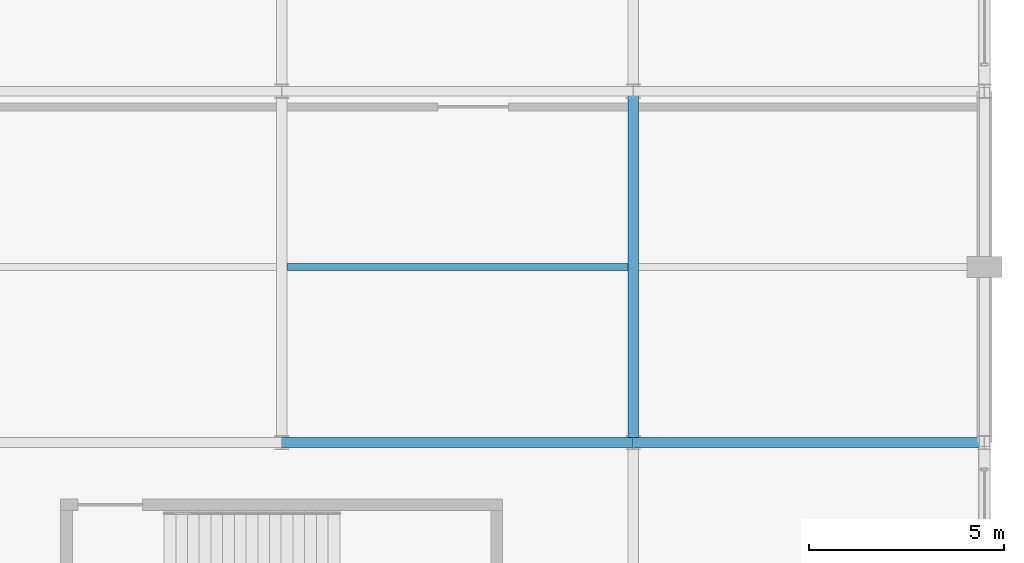
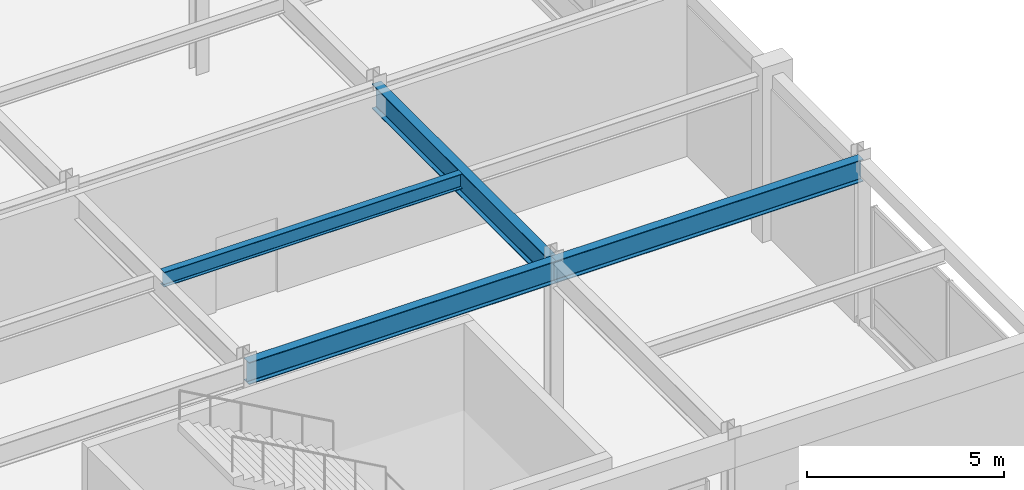
# One storey, part 44 of 100: 4 beams.
"""IFC4 building model written with IfcOpenShell, lengths in metres."""

import ifcopenshell
import ifcopenshell.guid

model = None  # the IFC model being written
_history = None  # IfcOwnerHistory: only IFC2X3 demands one
_inside = {}  # id of a spatial element -> (the spatial element, [elements in it])
_under = {}  # id of a project, library or spatial element -> (it, [spatial elements below it])
_declared = {}  # id of a project -> (the project, [libraries it declares])
_typed = {}  # id of a type object -> (the type object, [elements of that type])
_made_of = {}  # id of a material, layer set ... -> (it, [elements and type objects made of it])


def new_model(schema):
    """Start an empty IFC model of exactly this schema.

    Asked for "IFC4X3", IfcOpenShell would pick the latest addendum, in which some entities
    have other attributes; the version numbers below select the first issue.
    IFC2X3 requires an IfcOwnerHistory on every rooted entity: one is made here for all.
    """
    global model, _history
    if schema == "IFC4X3":
        model = ifcopenshell.file(schema_version=(4, 3, 0, 0))
    else:
        model = ifcopenshell.file(schema=schema)
    _inside.clear()
    _under.clear()
    _declared.clear()
    _typed.clear()
    _made_of.clear()
    _history = None
    if model.schema == "IFC2X3":
        org = make("IfcOrganization", Name="unknown")
        user = make(
            "IfcPersonAndOrganization",
            ThePerson=make("IfcPerson", FamilyName="unknown"),
            TheOrganization=org,
        )
        app = make(
            "IfcApplication",
            ApplicationDeveloper=org,
            Version="unknown",
            ApplicationFullName="unknown",
            ApplicationIdentifier="unknown",
        )
        _history = make(
            "IfcOwnerHistory",
            OwningUser=user,
            OwningApplication=app,
            ChangeAction="ADDED",
            CreationDate=0,
        )
    return model


def make(cls, **values):
    """One entity of the class cls with the attributes given. An attribute that is None is left unset."""
    return model.create_entity(
        cls, **{name: value for name, value in values.items() if value is not None}
    )


def rooted(cls, **values):
    """An entity with a GlobalId (a new one), such as an element, a storey or a relation."""
    return make(cls, GlobalId=ifcopenshell.guid.new(), OwnerHistory=_history, **values)


def si_unit(unit_type, name, prefix=None):
    """IfcSIUnit, for example si_unit("LENGTHUNIT", "METRE", prefix="MILLI")."""
    return make("IfcSIUnit", UnitType=unit_type, Prefix=prefix, Name=name)


def assignment(units):
    """IfcUnitAssignment: the units of a project."""
    return None if units is None else make("IfcUnitAssignment", Units=units)


def point(xyz):
    """IfcCartesianPoint."""
    return None if xyz is None else make("IfcCartesianPoint", Coordinates=xyz)


def direction(xyz):
    """IfcDirection."""
    return None if xyz is None else make("IfcDirection", DirectionRatios=xyz)


def frame(location, z_axis=None, x_axis=None):
    """IfcAxis2Placement3D, a coordinate frame: its origin and axes. An axis left out is left unset."""
    return make(
        "IfcAxis2Placement3D",
        Location=point(location),
        Axis=direction(z_axis),
        RefDirection=direction(x_axis),
    )


def frame_2d(location, x_axis=None):
    """IfcAxis2Placement2D, a coordinate frame in the plane: its origin and x axis."""
    return make(
        "IfcAxis2Placement2D", Location=point(location), RefDirection=direction(x_axis)
    )


def origin():
    """The frame at (0, 0, 0) with its axes left unset."""
    return frame((0.0, 0.0, 0.0))


def origin_2d():
    """The frame at (0, 0) in the plane with its x axis left unset."""
    return frame_2d((0.0, 0.0))


def place(relative_to, where):
    """IfcLocalPlacement: puts the frame where relative to a parent placement (None: the world)."""
    return make(
        "IfcLocalPlacement", PlacementRelTo=relative_to, RelativePlacement=where
    )


def context(
    kind, dimensions, precision=None, world=None, true_north=None, identifier=None
):
    """IfcGeometricRepresentationContext, for example the 3D "Model" context."""
    return make(
        "IfcGeometricRepresentationContext",
        ContextIdentifier=identifier,
        ContextType=kind,
        CoordinateSpaceDimension=dimensions,
        Precision=precision,
        WorldCoordinateSystem=world,
        TrueNorth=true_north,
    )


def subcontext(parent, identifier, kind, view, scale=None):
    """IfcGeometricRepresentationSubContext, for example "Body" below "Model"."""
    return make(
        "IfcGeometricRepresentationSubContext",
        ContextIdentifier=identifier,
        ContextType=kind,
        ParentContext=parent,
        TargetScale=scale,
        TargetView=view,
    )


def project(units=None, contexts=None):
    """IfcProject with its units and contexts."""
    return rooted(
        "IfcProject",
        Name="project",
        RepresentationContexts=contexts,
        UnitsInContext=assignment(units),
    )


def spatial(cls, under=None, at=None, **own):
    """A site, building, storey or space (cls), placed at a placement, below another one or the project."""
    s = rooted(cls, ObjectPlacement=at, **own)
    if under is not None:
        _under.setdefault(under.id(), (under, []))[1].append(s)
    return s


def profile(cls, at=None, kind="AREA", **sizes):
    """A parametric profile (cls). Its sizes go by their IFC names, for example OverallWidth=200.0."""
    return make(cls, ProfileType=kind, Position=at, **sizes)


def i_section(**sizes):
    """IfcIShapeProfileDef."""
    return profile("IfcIShapeProfileDef", **sizes)


def extrude(swept, where, along, depth):
    """IfcExtrudedAreaSolid: the profile swept, set in the frame where, extruded along a direction by depth."""
    return make(
        "IfcExtrudedAreaSolid",
        SweptArea=swept,
        Position=where,
        ExtrudedDirection=direction(along),
        Depth=depth,
    )


def shape(context_of_items, identifier, shape_type, items):
    """IfcShapeRepresentation: the items that make up one representation, for example the "Body"."""
    return make(
        "IfcShapeRepresentation",
        ContextOfItems=context_of_items,
        RepresentationIdentifier=identifier,
        RepresentationType=shape_type,
        Items=items,
    )


def material(Name=None, Category=None):
    """IfcMaterial."""
    return make("IfcMaterial", Name=Name, Category=Category)


def material_profile(
    of_material, cross_section, Name=None, Category=None, Priority=None
):
    """IfcMaterialProfile: a cross section and its material."""
    return make(
        "IfcMaterialProfile",
        Name=Name,
        Material=of_material,
        Profile=cross_section,
        Priority=Priority,
        Category=Category,
    )


def profile_set(profiles, Name=None, composite=None):
    """IfcMaterialProfileSet."""
    return make(
        "IfcMaterialProfileSet",
        Name=Name,
        MaterialProfiles=profiles,
        CompositeProfile=composite,
    )


def made_of(thing, what):
    """Note that an element or type object is made of a material, layer set ...; save() writes the relation."""
    if what is not None:
        _made_of.setdefault(what.id(), (what, []))[1].append(thing)
    return thing


def type_object(cls, material=None, **own):
    """A type object (cls), such as IfcWallType, which elements share."""
    return made_of(rooted(cls, **own), material)


def element(
    cls,
    number,
    at=None,
    inside=None,
    cuts=None,
    type_object=None,
    material=None,
    context=None,
    identifier="Body",
    shape_type=None,
    held_by="IfcProductDefinitionShape",
    body=None,
    shapes=None,
    **own,
):
    """One element of the class cls, such as IfcWall. Its Tag is "e" and its number.

    at: its placement. inside: the storey or other place that contains it. cuts: it is an
    opening in that element (IfcRelVoidsElement). A single representation is given by context,
    identifier, shape_type and body (its items); several are given by shapes. held_by: the class
    of the entity that holds the representations. save() writes the other relations.
    """
    e = rooted(cls, Tag="e%d" % number, ObjectPlacement=at, **own)
    if body is not None:
        shapes = [shape(context, identifier, shape_type, body)]
    if shapes is not None:
        e.Representation = make(held_by, Representations=shapes)
    if inside is not None:
        _inside.setdefault(inside.id(), (inside, []))[1].append(e)
    if cuts is not None:
        rooted(
            "IfcRelVoidsElement", RelatingBuildingElement=cuts, RelatedOpeningElement=e
        )
    if type_object is not None:
        _typed.setdefault(type_object.id(), (type_object, []))[1].append(e)
    return made_of(e, material)


def aggregate(whole, parts):
    """IfcRelAggregates: a whole, such as a stair, and the parts it consists of."""
    return rooted("IfcRelAggregates", RelatingObject=whole, RelatedObjects=parts)


def save(model, path):
    """Write the relations noted so far, then the file.

    IfcRelAggregates (storeys below a building ...), IfcRelContainedInSpatialStructure (elements
    in a storey), IfcRelDefinesByType, IfcRelAssociatesMaterial and IfcRelDeclares: one each for
    every whole, place, type object, material and project.
    """
    for whole, parts in _under.values():
        aggregate(whole, parts)
    for where, things in _inside.values():
        rooted(
            "IfcRelContainedInSpatialStructure",
            RelatedElements=things,
            RelatingStructure=where,
        )
    for kind, things in _typed.values():
        rooted("IfcRelDefinesByType", RelatedObjects=things, RelatingType=kind)
    for what, things in _made_of.values():
        rooted("IfcRelAssociatesMaterial", RelatedObjects=things, RelatingMaterial=what)
    for by, libraries in _declared.values():
        rooted("IfcRelDeclares", RelatingContext=by, RelatedDefinitions=libraries)
    model.write(path)


model = new_model("IFC4")

# Units and contexts
model_context = context("Model", 3, precision=1e-05, world=origin(), true_north=direction((0.0, 1.0)))
body_context = subcontext(model_context, "Body", "Model", "MODEL_VIEW")
ifc_project = project(units=[si_unit("LENGTHUNIT", "METRE"), si_unit("AREAUNIT", "SQUARE_METRE"), si_unit("VOLUMEUNIT", "CUBIC_METRE"), si_unit("PLANEANGLEUNIT", "RADIAN"), si_unit("MASSUNIT", "GRAM", prefix="KILO")], contexts=[model_context])

# Site, building, storey
site_placement = place(None, origin())
site = spatial("IfcSite", under=ifc_project, at=site_placement, CompositionType="ELEMENT")
building_placement = place(site_placement, origin())
building = spatial("IfcBuilding", under=site, at=building_placement, Name="Kaldorvane Square Convention Centre", CompositionType="ELEMENT")
storey_placement = place(building_placement, frame((0.0, 0.0, 18.0)))
storey = spatial("IfcBuildingStorey", under=building, at=storey_placement, Name="L03", CompositionType="ELEMENT", Elevation=18.0)

# Beams
ifc_material = material(Name="Steel ASTM A992 Gr. 50", Category="steel")
ifc_material_profile_1 = material_profile(ifc_material, i_section(OverallWidth=0.25439453125, OverallDepth=0.6880950927734375, WebThickness=0.0131072998046875, FlangeThickness=0.0211029052734375, FilletRadius=0.01519775390625, at=origin_2d()), Name="W27X102")
ifc_profile_set_1 = profile_set([ifc_material_profile_1], Name="Steel ASTM A992 Gr. 50")
beam_type_1 = type_object("IfcBeamType", Name="BM-GR-W27X102", PredefinedType="BEAM", material=ifc_profile_set_1)
for number, where, z_axis, x_axis, name in (
    (1, (156.0, 9.0, 4.731903076171875), (1.0, 0.0, 0.0), (0.0, 1.0, 0.0), "Primary Girder (L03)"),
    (2, (165.0, 9.0, 4.731903076171875), (1.0, 0.0, 0.0), (0.0, 1.0, 0.0), "Primary Girder (L03)"),
):
    element("IfcBeam", number, at=place(storey_placement, frame(where, z_axis=z_axis, x_axis=x_axis)), inside=storey, type_object=beam_type_1, Name=name, PredefinedType="BEAM", context=body_context, shape_type="SweptSolid", body=[
        extrude(i_section(OverallWidth=0.25439453125, OverallDepth=0.6880950927734375, WebThickness=0.0131072998046875, FlangeThickness=0.0211029052734375, FilletRadius=0.01519775390625, at=origin_2d()), origin(), (0.0, 0.0, 1.0), 9.0),
    ])
ifc_material_profile_2 = material_profile(ifc_material, i_section(OverallWidth=0.2666015625, OverallDepth=0.762298583984375, WebThickness=0.014404296875, FlangeThickness=0.0216064453125, FilletRadius=0.0164947509765625, at=origin_2d()), Name="W30X116")
ifc_profile_set_2 = profile_set([ifc_material_profile_2], Name="Steel ASTM A992 Gr. 50")
beam_type_2 = type_object("IfcBeamType", Name="BM-GR-W30X116", PredefinedType="BEAM", material=ifc_profile_set_2)
beam_1_placement = place(storey_placement, frame((165.0, 9.0, 4.694793701171875), z_axis=(0.0, 1.0, 0.0), x_axis=(-1.0, 0.0, 0.0)))
element("IfcBeam", 3, at=beam_1_placement, inside=storey, type_object=beam_type_2, Name="Transverse Girder (L03)", PredefinedType="BEAM", context=body_context, shape_type="SweptSolid", body=[
    extrude(i_section(OverallWidth=0.2666015625, OverallDepth=0.762298583984375, WebThickness=0.014404296875, FlangeThickness=0.0216064453125, FilletRadius=0.0164947509765625, at=origin_2d()), origin(), (0.0, 0.0, 1.0), 9.0),
])
ifc_material_profile_3 = material_profile(ifc_material, i_section(OverallWidth=0.1912994384765625, OverallDepth=0.4600067138671875, WebThickness=0.0099029541015625, FlangeThickness=0.0160064697265625, FilletRadius=0.01019287109375, at=origin_2d()), Name="W18X55")
ifc_profile_set_3 = profile_set([ifc_material_profile_3], Name="Steel ASTM A992 Gr. 50")
beam_type_3 = type_object("IfcBeamType", Name="BM-JS-W18X55", PredefinedType="JOIST", material=ifc_profile_set_3)
beam_2_placement = place(storey_placement, frame((156.13330078125, 13.5, 4.8459930419921875), z_axis=(1.0, 0.0, 0.0), x_axis=(0.0, 1.0, 0.0)))
element("IfcBeam", 4, at=beam_2_placement, inside=storey, type_object=beam_type_3, Name="Secondary Floor Joist (L03)", PredefinedType="JOIST", context=body_context, shape_type="SweptSolid", body=[
    extrude(i_section(OverallWidth=0.1912994384765625, OverallDepth=0.4600067138671875, WebThickness=0.0099029541015625, FlangeThickness=0.0160064697265625, FilletRadius=0.01019287109375, at=origin_2d()), origin(), (0.0, 0.0, 1.0), 8.7333984375),
])

save(model, "model.ifc")
